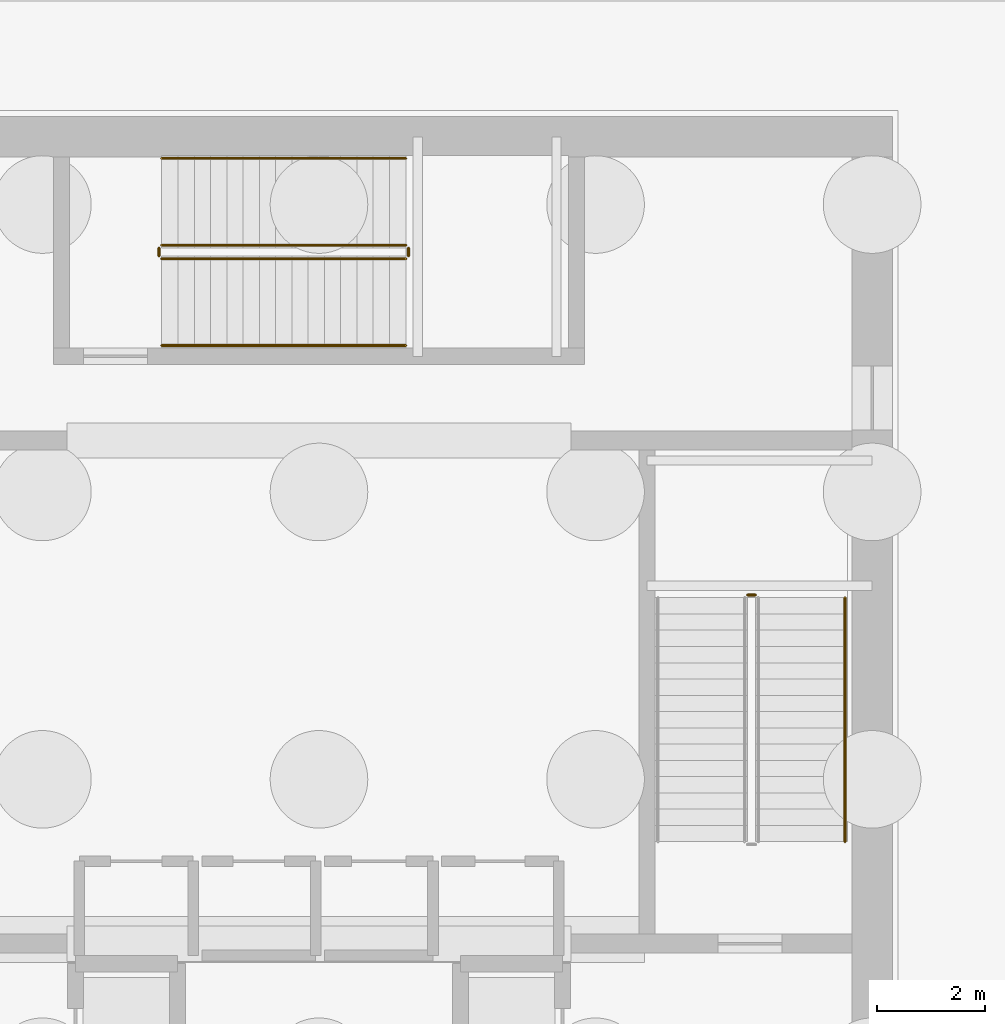
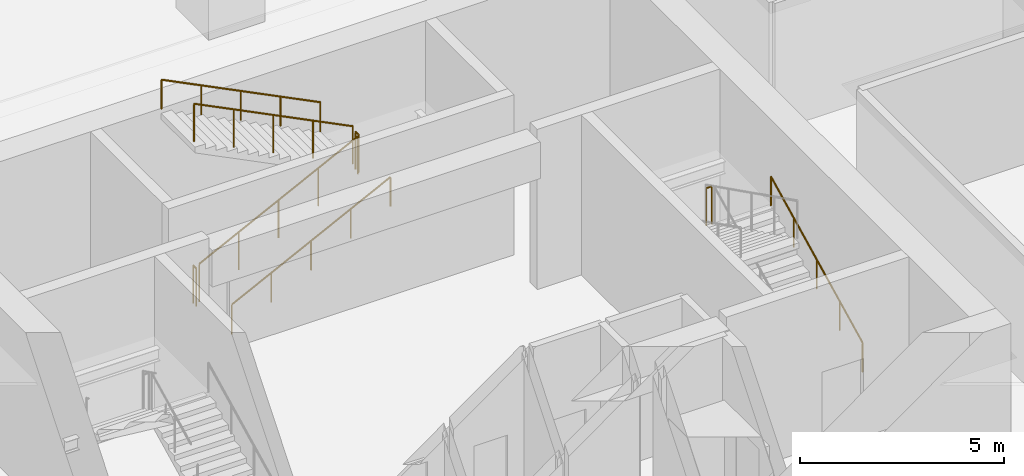
# One storey, part 10 of 11: 8 railings.
"""IFC4 building model written with IfcOpenShell, lengths in metres."""

from ifc_helpers import new_model, si_unit, direction, frame, origin, origin_2d, place, context, subcontext, project, spatial, circle, extrude, material, type_object, element, save


model = new_model("IFC4")

# Units and contexts
model_context = context("Model", 3, precision=1e-05, world=origin(), true_north=direction((0.0, 1.0)))
body_context = subcontext(model_context, "Body", "Model", "MODEL_VIEW")
ifc_project = project(units=[si_unit("LENGTHUNIT", "METRE"), si_unit("AREAUNIT", "SQUARE_METRE"), si_unit("VOLUMEUNIT", "CUBIC_METRE"), si_unit("PLANEANGLEUNIT", "RADIAN"), si_unit("MASSUNIT", "GRAM", prefix="KILO")], contexts=[model_context])

# Site, building, storey
site_placement = place(None, origin())
site = spatial("IfcSite", under=ifc_project, at=site_placement, CompositionType="ELEMENT")
building_placement = place(site_placement, origin())
building = spatial("IfcBuilding", under=site, at=building_placement, Name="Punatoya Terracotta Tower", CompositionType="ELEMENT")
storey_placement = place(building_placement, frame((0.0, 0.0, -9.60009765625)))
storey = spatial("IfcBuildingStorey", under=building, at=storey_placement, Name="B2", CompositionType="ELEMENT", Elevation=-9.60009765625)

# Railings
ifc_material = material(Name="Steel S355", Category="steel")
railing_type_1 = type_object("IfcRailingType", Name="RLG-GRD-1150", PredefinedType="GUARDRAIL", material=ifc_material)
railing_1_placement = place(storey_placement, frame((8.050048828125, 0.75, 2.400146484375)))
element("IfcRailing", 1, at=railing_1_placement, inside=storey, type_object=railing_type_1, Name="B2 ST-2 stair guard 2", PredefinedType="GUARDRAIL", context=body_context, shape_type="SweptSolid", body=[
    extrude(circle(Radius=0.02392578125, at=origin_2d()), frame((0.0, 0.0, 1.1259765625), z_axis=(-1.0, 0.0, 0.0), x_axis=(0.0, -1.0, 0.0)), (0.0, 0.0, 1.0), 0.150146484375),
    extrude(circle(Radius=0.02099609375, at=origin_2d()), origin(), (0.0, 0.0, 1.0), 1.101806640625),
    extrude(circle(Radius=0.02099609375, at=origin_2d()), frame((-0.150146484375, 0.0, 0.0)), (0.0, 0.0, 1.0), 1.101806640625),
])
railing_2_placement = place(storey_placement, frame((-2.89990234375, 6.949951171875, 0.150146484375)))
element("IfcRailing", 2, at=railing_2_placement, inside=storey, type_object=railing_type_1, Name="B2 ST-3 stair guard 1", PredefinedType="GUARDRAIL", context=body_context, shape_type="SweptSolid", body=[
    extrude(circle(Radius=0.02392578125, at=origin_2d()), frame((0.0, 0.0, 1.1259765625), z_axis=(0.894427191, 0.0, 0.4472135955), x_axis=(0.0, 1.0, 0.0)), (0.0, 0.0, 1.0), 5.03125),
    extrude(circle(Radius=0.02099609375, at=origin_2d()), origin(), (0.0, 0.0, 1.0), 1.101806640625),
    extrude(circle(Radius=0.02099609375, at=origin_2d()), frame((1.125, 0.0, 0.5625)), (0.0, 0.0, 1.0), 1.101806640625),
    extrude(circle(Radius=0.02099609375, at=origin_2d()), frame((2.25, 0.0, 1.125)), (0.0, 0.0, 1.0), 1.101806640625),
    extrude(circle(Radius=0.02099609375, at=origin_2d()), frame((3.375, 0.0, 1.6875)), (0.0, 0.0, 1.0), 1.101806640625),
    extrude(circle(Radius=0.02099609375, at=origin_2d()), frame((4.5, 0.0, 2.25)), (0.0, 0.0, 1.0), 1.101806640625),
])
railing_3_placement = place(storey_placement, frame((1.64990234375, 7.0, 2.400146484375)))
element("IfcRailing", 3, at=railing_3_placement, inside=storey, type_object=railing_type_1, Name="B2 ST-3 stair guard 2", PredefinedType="GUARDRAIL", context=body_context, shape_type="SweptSolid", body=[
    extrude(circle(Radius=0.02392578125, at=origin_2d()), frame((0.0, 0.0, 1.1259765625), z_axis=(0.0, 1.0, 0.0), x_axis=(-1.0, 0.0, 0.0)), (0.0, 0.0, 1.0), 0.14990234375),
    extrude(circle(Radius=0.02099609375, at=origin_2d()), origin(), (0.0, 0.0, 1.0), 1.101806640625),
    extrude(circle(Radius=0.02099609375, at=origin_2d()), frame((0.0, 0.14990234375, 0.0)), (0.0, 0.0, 1.0), 1.101806640625),
])
railing_4_placement = place(storey_placement, frame((1.60009765625, 7.199951171875, 2.550048828125)))
element("IfcRailing", 4, at=railing_4_placement, inside=storey, type_object=railing_type_1, Name="B2 ST-3 stair guard 3", PredefinedType="GUARDRAIL", context=body_context, shape_type="SweptSolid", body=[
    extrude(circle(Radius=0.02392578125, at=origin_2d()), frame((0.0, 0.0, 1.1259765625), z_axis=(-0.894427191, 0.0, 0.4472135955), x_axis=(0.0, -1.0, 0.0)), (0.0, 0.0, 1.0), 5.03125),
    extrude(circle(Radius=0.02099609375, at=origin_2d()), origin(), (0.0, 0.0, 1.0), 1.101806640625),
    extrude(circle(Radius=0.02099609375, at=origin_2d()), frame((-1.125, 0.0, 0.5625)), (0.0, 0.0, 1.0), 1.101806640625),
    extrude(circle(Radius=0.02099609375, at=origin_2d()), frame((-2.25, 0.0, 1.125)), (0.0, 0.0, 1.0), 1.101806640625),
    extrude(circle(Radius=0.02099609375, at=origin_2d()), frame((-3.375, 0.0, 1.6875)), (0.0, 0.0, 1.0), 1.101806640625),
    extrude(circle(Radius=0.02099609375, at=origin_2d()), frame((-4.5, 0.0, 2.25)), (0.0, 0.0, 1.0), 1.101806640625),
])
railing_5_placement = place(storey_placement, frame((-2.949951171875, 7.0, 0.0)))
element("IfcRailing", 5, at=railing_5_placement, inside=storey, type_object=railing_type_1, Name="B2 ST-3 stair guard 4", PredefinedType="GUARDRAIL", context=body_context, shape_type="SweptSolid", body=[
    extrude(circle(Radius=0.02392578125, at=origin_2d()), frame((0.0, 0.0, 1.1259765625), z_axis=(0.0, 1.0, 0.0), x_axis=(-1.0, 0.0, 0.0)), (0.0, 0.0, 1.0), 0.14990234375),
    extrude(circle(Radius=0.02099609375, at=origin_2d()), origin(), (0.0, 0.0, 1.0), 1.101806640625),
    extrude(circle(Radius=0.02099609375, at=origin_2d()), frame((0.0, 0.14990234375, 0.0)), (0.0, 0.0, 1.0), 1.101806640625),
])
railing_type_2 = type_object("IfcRailingType", Name="RLG-HND-900", PredefinedType="HANDRAIL", material=ifc_material)
railing_6_placement = place(storey_placement, frame((9.699951171875, -3.800048828125, 0.150146484375)))
element("IfcRailing", 6, at=railing_6_placement, inside=storey, type_object=railing_type_2, Name="B2 ST-2 stair handrail 1", PredefinedType="HANDRAIL", context=body_context, shape_type="SweptSolid", body=[
    extrude(circle(Radius=0.02392578125, at=origin_2d()), frame((0.0, 0.0, 0.8759765625), z_axis=(0.0, 0.894427191, 0.4472135955), x_axis=(-1.0, 0.0, 0.0)), (0.0, 0.0, 1.0), 5.03125),
    extrude(circle(Radius=0.02099609375, at=origin_2d()), origin(), (0.0, 0.0, 1.0), 0.851806640625),
    extrude(circle(Radius=0.02099609375, at=origin_2d()), frame((0.0, 1.125, 0.5625)), (0.0, 0.0, 1.0), 0.851806640625),
    extrude(circle(Radius=0.02099609375, at=origin_2d()), frame((0.0, 2.25, 1.125)), (0.0, 0.0, 1.0), 0.851806640625),
    extrude(circle(Radius=0.02099609375, at=origin_2d()), frame((0.0, 3.375, 1.6875)), (0.0, 0.0, 1.0), 0.851806640625),
    extrude(circle(Radius=0.02099609375, at=origin_2d()), frame((0.0, 4.5, 2.25)), (0.0, 0.0, 1.0), 0.851806640625),
])
railing_7_placement = place(storey_placement, frame((-2.89990234375, 5.35009765625, 0.150146484375)))
element("IfcRailing", 7, at=railing_7_placement, inside=storey, type_object=railing_type_2, Name="B2 ST-3 stair handrail 1", PredefinedType="HANDRAIL", context=body_context, shape_type="SweptSolid", body=[
    extrude(circle(Radius=0.02392578125, at=origin_2d()), frame((0.0, 0.0, 0.8759765625), z_axis=(0.894427191, 0.0, 0.4472135955), x_axis=(0.0, 1.0, 0.0)), (0.0, 0.0, 1.0), 5.03125),
    extrude(circle(Radius=0.02099609375, at=origin_2d()), origin(), (0.0, 0.0, 1.0), 0.851806640625),
    extrude(circle(Radius=0.02099609375, at=origin_2d()), frame((1.125, 0.0, 0.5625)), (0.0, 0.0, 1.0), 0.851806640625),
    extrude(circle(Radius=0.02099609375, at=origin_2d()), frame((2.25, 0.0, 1.125)), (0.0, 0.0, 1.0), 0.851806640625),
    extrude(circle(Radius=0.02099609375, at=origin_2d()), frame((3.375, 0.0, 1.6875)), (0.0, 0.0, 1.0), 0.851806640625),
    extrude(circle(Radius=0.02099609375, at=origin_2d()), frame((4.5, 0.0, 2.25)), (0.0, 0.0, 1.0), 0.851806640625),
])
railing_8_placement = place(storey_placement, frame((1.60009765625, 8.800048828125, 2.550048828125)))
element("IfcRailing", 8, at=railing_8_placement, inside=storey, type_object=railing_type_2, Name="B2 ST-3 stair handrail 2", PredefinedType="HANDRAIL", context=body_context, shape_type="SweptSolid", body=[
    extrude(circle(Radius=0.02392578125, at=origin_2d()), frame((0.0, 0.0, 0.8759765625), z_axis=(-0.894427191, 0.0, 0.4472135955), x_axis=(0.0, -1.0, 0.0)), (0.0, 0.0, 1.0), 5.03125),
    extrude(circle(Radius=0.02099609375, at=origin_2d()), origin(), (0.0, 0.0, 1.0), 0.851806640625),
    extrude(circle(Radius=0.02099609375, at=origin_2d()), frame((-1.125, 0.0, 0.5625)), (0.0, 0.0, 1.0), 0.851806640625),
    extrude(circle(Radius=0.02099609375, at=origin_2d()), frame((-2.25, 0.0, 1.125)), (0.0, 0.0, 1.0), 0.851806640625),
    extrude(circle(Radius=0.02099609375, at=origin_2d()), frame((-3.375, 0.0, 1.6875)), (0.0, 0.0, 1.0), 0.851806640625),
    extrude(circle(Radius=0.02099609375, at=origin_2d()), frame((-4.5, 0.0, 2.25)), (0.0, 0.0, 1.0), 0.851806640625),
])

save(model, "model.ifc")
